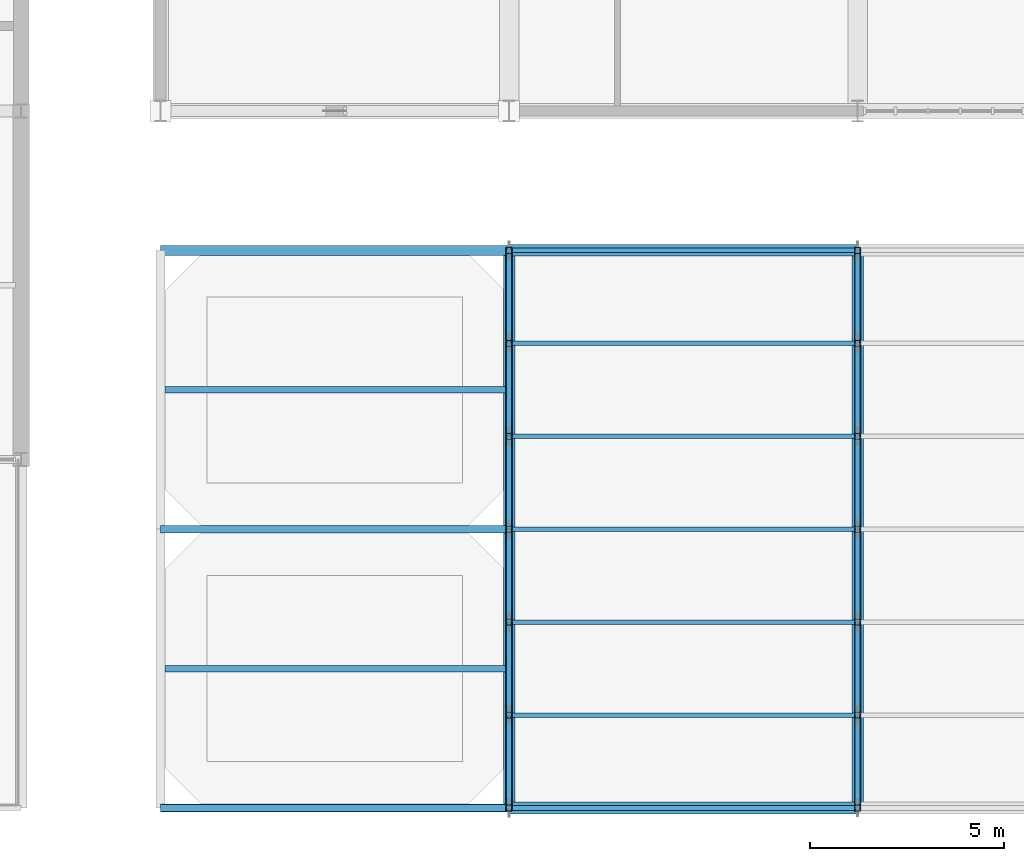
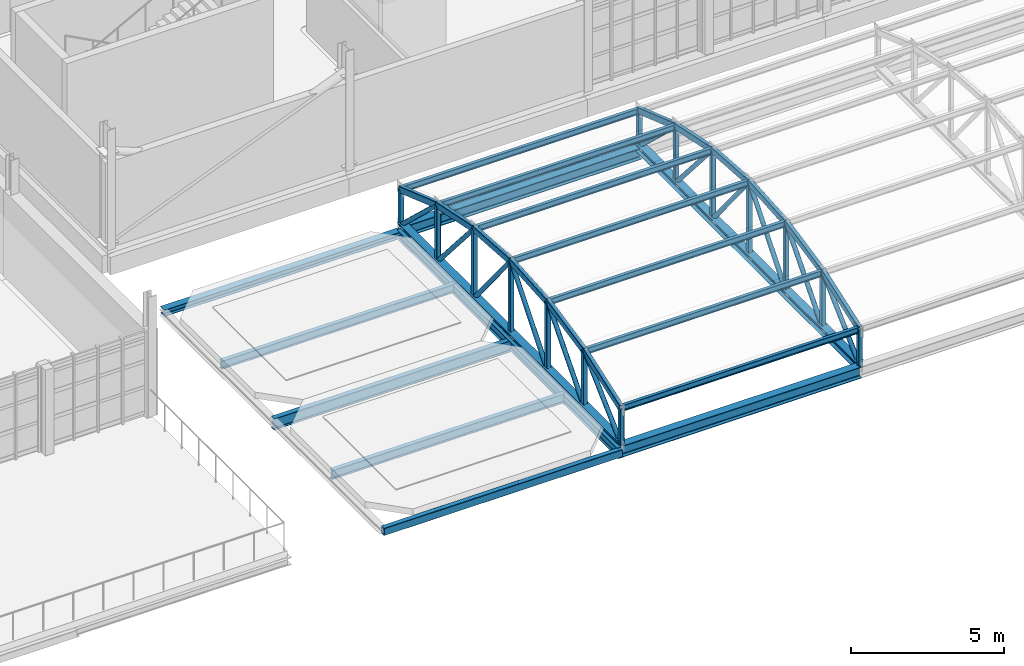
# One storey, part 15 of 128: 47 members, 9 beams.
"""IFC4 building model written with IfcOpenShell, lengths in metres."""

from ifc_helpers import new_model, si_unit, direction, frame, origin, origin_2d, place, context, subcontext, project, spatial, hollow_rectangle, hollow_circle, i_section, extrude, material, material_profile, profile_set, type_object, element, save


model = new_model("IFC4")

# Units and contexts
model_context = context("Model", 3, precision=1e-05, world=origin(), true_north=direction((0.0, 1.0)))
body_context = subcontext(model_context, "Body", "Model", "MODEL_VIEW")
ifc_project = project(units=[si_unit("LENGTHUNIT", "METRE"), si_unit("AREAUNIT", "SQUARE_METRE"), si_unit("VOLUMEUNIT", "CUBIC_METRE"), si_unit("PLANEANGLEUNIT", "RADIAN"), si_unit("MASSUNIT", "GRAM", prefix="KILO")], contexts=[model_context])

# Site, building, storey
site_placement = place(None, origin())
site = spatial("IfcSite", under=ifc_project, at=site_placement, CompositionType="ELEMENT")
building_placement = place(site_placement, origin())
building = spatial("IfcBuilding", under=site, at=building_placement, Name="Serraforn Aerial Cableway Station", CompositionType="ELEMENT")
storey_placement = place(building_placement, frame((0.0, 0.0, 9.0)))
storey = spatial("IfcBuildingStorey", under=building, at=storey_placement, Name="L02", CompositionType="ELEMENT", Elevation=9.0)

# Beams
ifc_material_1 = material(Name="Steel S355JR", Category="steel")
ifc_material_profile_1 = material_profile(ifc_material_1, i_section(OverallWidth=0.300048828125, OverallDepth=0.449951171875, WebThickness=0.011474609375, FlangeThickness=0.02099609375, FilletRadius=0.027099609375, at=origin_2d()), Name="HEA 450")
ifc_profile_set_1 = profile_set([ifc_material_profile_1], Name="Steel S355JR")
beam_type_1 = type_object("IfcBeamType", Name="BM-ST-HEA450", PredefinedType="USERDEFINED", material=ifc_profile_set_1)
for number, where, z_axis, x_axis, name in (
    (1, (36.60009765625, 0.0, -0.364990234375), (1.0, 0.0, 0.0), (0.0, 1.0, 0.0), "Concourse Vault Eave Girder S-1"),
    (2, (36.60009765625, 14.39990234375, -0.364990234375), (1.0, 0.0, 0.0), (0.0, 1.0, 0.0), "Concourse Vault Eave Girder N-1"),
):
    element("IfcBeam", number, at=place(storey_placement, frame(where, z_axis=z_axis, x_axis=x_axis)), inside=storey, type_object=beam_type_1, Name=name, ObjectType="GIRDER", PredefinedType="USERDEFINED", context=body_context, shape_type="SweptSolid", body=[
        extrude(i_section(OverallWidth=0.300048828125, OverallDepth=0.449951171875, WebThickness=0.011474609375, FlangeThickness=0.02099609375, FilletRadius=0.027099609375, at=origin_2d()), origin(), (0.0, 0.0, 1.0), 9.0),
    ])
ifc_material_2 = material(Name="Steel S355J2", Category="steel")
ifc_material_profile_2 = material_profile(ifc_material_2, i_section(OverallWidth=0.260009765625, OverallDepth=0.260009765625, WebThickness=0.010009765625, FlangeThickness=0.017578125, FilletRadius=0.02392578125, at=origin_2d()), Name="HEB 260")
ifc_profile_set_2 = profile_set([ifc_material_profile_2], Name="Steel S355J2")
beam_type_2 = type_object("IfcBeamType", Name="BM-ST-HEB260", PredefinedType="BEAM", material=ifc_profile_set_2)
beam_1_placement = place(storey_placement, frame((27.60009765625, 14.39990234375, -0.449951171875), z_axis=(1.0, 0.0, 0.0), x_axis=(0.0, 1.0, 0.0)))
element("IfcBeam", 3, at=beam_1_placement, inside=storey, type_object=beam_type_2, Name="Grid Girder X CF L02 Y3-1", PredefinedType="BEAM", context=body_context, shape_type="SweptSolid", body=[
    extrude(i_section(OverallWidth=0.260009765625, OverallDepth=0.260009765625, WebThickness=0.010009765625, FlangeThickness=0.017578125, FilletRadius=0.02392578125, at=origin_2d()), origin(), (0.0, 0.0, 1.0), 9.0),
])
ifc_material_profile_3 = material_profile(ifc_material_1, i_section(OverallWidth=0.159912109375, OverallDepth=0.330078125, WebThickness=0.007568359375, FlangeThickness=0.011474609375, FilletRadius=0.01806640625, at=origin_2d()), Name="IPE 330")
ifc_profile_set_3 = profile_set([ifc_material_profile_3], Name="Steel S355JR")
beam_type_3 = type_object("IfcBeamType", Name="BM-ST-IPE330", PredefinedType="JOIST", material=ifc_profile_set_3)
beam_2_placement = place(storey_placement, frame((27.719970703125, 10.800048828125, -0.4150390625), z_axis=(1.0, 0.0, 0.0), x_axis=(0.0, 1.0, 0.0)))
element("IfcBeam", 4, at=beam_2_placement, inside=storey, type_object=beam_type_3, Name="Floor Joist CF-L02-1-2-1", PredefinedType="JOIST", context=body_context, shape_type="SweptSolid", body=[
    extrude(i_section(OverallWidth=0.159912109375, OverallDepth=0.330078125, WebThickness=0.007568359375, FlangeThickness=0.011474609375, FilletRadius=0.01806640625, at=origin_2d()), origin(), (0.0, 0.0, 1.0), 8.7900390625),
])
ifc_material_profile_4 = material_profile(ifc_material_1, i_section(OverallWidth=0.169921875, OverallDepth=0.360107421875, WebThickness=0.008056640625, FlangeThickness=0.0126953125, FilletRadius=0.01806640625, at=origin_2d()), Name="IPE 360")
ifc_profile_set_4 = profile_set([ifc_material_profile_4], Name="Steel S355JR")
beam_type_4 = type_object("IfcBeamType", Name="BM-ST-IPE360", PredefinedType="JOIST", material=ifc_profile_set_4)
beam_3_placement = place(storey_placement, frame((27.719970703125, 3.60009765625, -0.429931640625), z_axis=(1.0, 0.0, 0.0), x_axis=(0.0, 1.0, 0.0)))
element("IfcBeam", 5, at=beam_3_placement, inside=storey, type_object=beam_type_4, Name="Floor Joist CF-L02-1-1-1", PredefinedType="JOIST", context=body_context, shape_type="SweptSolid", body=[
    extrude(i_section(OverallWidth=0.169921875, OverallDepth=0.360107421875, WebThickness=0.008056640625, FlangeThickness=0.0126953125, FilletRadius=0.01806640625, at=origin_2d()), origin(), (0.0, 0.0, 1.0), 8.7900390625),
])
ifc_material_profile_5 = material_profile(ifc_material_1, i_section(OverallWidth=0.179931640625, OverallDepth=0.39990234375, WebThickness=0.008544921875, FlangeThickness=0.013427734375, FilletRadius=0.02099609375, at=origin_2d()), Name="IPE 400")
ifc_profile_set_5 = profile_set([ifc_material_profile_5], Name="Steel S355JR")
beam_type_5 = type_object("IfcBeamType", Name="BM-ST-IPE400", PredefinedType="BEAM", material=ifc_profile_set_5)
for number, where, z_axis, x_axis, name in (
    (6, (36.60009765625, 0.0, -0.52001953125), (0.0, 1.0, 0.0), (-1.0, 0.0, 0.0), "Grid Girder Y CF L02 X2-1"),
    (7, (36.60009765625, 7.199951171875, -0.52001953125), (0.0, 1.0, 0.0), (-1.0, 0.0, 0.0), "Grid Girder Y CF L02 X2-2"),
):
    element("IfcBeam", number, at=place(storey_placement, frame(where, z_axis=z_axis, x_axis=x_axis)), inside=storey, type_object=beam_type_5, Name=name, PredefinedType="BEAM", context=body_context, shape_type="SweptSolid", body=[
        extrude(i_section(OverallWidth=0.179931640625, OverallDepth=0.39990234375, WebThickness=0.008544921875, FlangeThickness=0.013427734375, FilletRadius=0.02099609375, at=origin_2d()), origin(), (0.0, 0.0, 1.0), 7.199951171875),
    ])
ifc_material_profile_6 = material_profile(ifc_material_1, i_section(OverallWidth=0.18994140625, OverallDepth=0.449951171875, WebThickness=0.009521484375, FlangeThickness=0.0146484375, FilletRadius=0.02099609375, at=origin_2d()), Name="IPE 450")
ifc_profile_set_6 = profile_set([ifc_material_profile_6], Name="Steel S355JR")
beam_type_6 = type_object("IfcBeamType", Name="BM-ST-IPE450", PredefinedType="BEAM", material=ifc_profile_set_6)
beam_4_placement = place(storey_placement, frame((27.60009765625, 7.199951171875, -0.544921875), z_axis=(1.0, 0.0, 0.0), x_axis=(0.0, 1.0, 0.0)))
element("IfcBeam", 8, at=beam_4_placement, inside=storey, type_object=beam_type_6, Name="Grid Girder X CF L02 Y2-1", PredefinedType="BEAM", context=body_context, shape_type="SweptSolid", body=[
    extrude(i_section(OverallWidth=0.18994140625, OverallDepth=0.449951171875, WebThickness=0.009521484375, FlangeThickness=0.0146484375, FilletRadius=0.02099609375, at=origin_2d()), origin(), (0.0, 0.0, 1.0), 9.0),
])
ifc_material_profile_7 = material_profile(ifc_material_2, hollow_rectangle(XDim=0.199951171875, YDim=0.300048828125, WallThickness=0.012451171875, InnerFilletRadius=0.012451171875, OuterFilletRadius=0.02490234375, at=origin_2d()), Name="RHS 300x200x12.5")
ifc_profile_set_7 = profile_set([ifc_material_profile_7], Name="Steel S355J2")
beam_type_7 = type_object("IfcBeamType", Name="BM-ST-RHS300", PredefinedType="SPANDREL", material=ifc_profile_set_7)
beam_5_placement = place(storey_placement, frame((27.60009765625, 0.0, -0.469970703125), z_axis=(1.0, 0.0, 0.0), x_axis=(0.0, 1.0, 0.0)))
element("IfcBeam", 9, at=beam_5_placement, inside=storey, type_object=beam_type_7, Name="Grid Girder X CF L02 Y1-1", PredefinedType="SPANDREL", context=body_context, shape_type="SweptSolid", body=[
    extrude(hollow_rectangle(XDim=0.199951171875, YDim=0.300048828125, WallThickness=0.012451171875, InnerFilletRadius=0.012451171875, OuterFilletRadius=0.02490234375, at=origin_2d()), origin(), (0.0, 0.0, 1.0), 9.0),
])

# Members
ifc_material_profile_8 = material_profile(ifc_material_2, hollow_rectangle(XDim=0.14990234375, YDim=0.25, WallThickness=0.010009765625, InnerFilletRadius=0.010009765625, OuterFilletRadius=0.02001953125, at=origin_2d()), Name="RHS 250x150x10.0")
ifc_profile_set_8 = profile_set([ifc_material_profile_8], Name="Steel S355J2")
member_type_1 = type_object("IfcMemberType", Name="MEM-AR-RHS250", PredefinedType="CHORD", material=ifc_profile_set_8)
member_1_placement = place(storey_placement, frame((36.60009765625, 0.0, 1.2900390625), z_axis=(0.0, 0.944679454342, 0.327995012988), x_axis=(-1.0, 0.0, 0.0)))
element("IfcMember", 10, at=member_1_placement, inside=storey, type_object=member_type_1, Name="Barrel Vault Arch Rib VR-01-1", PredefinedType="CHORD", context=body_context, shape_type="SweptSolid", body=[
    extrude(hollow_rectangle(XDim=0.14990234375, YDim=0.25, WallThickness=0.010009765625, InnerFilletRadius=0.010009765625, OuterFilletRadius=0.02001953125, at=origin_2d()), origin(), (0.0, 0.0, 1.0), 2.54052734375),
])
member_2_placement = place(storey_placement, frame((36.60009765625, 2.39990234375, 2.123291015625), z_axis=(0.0, 0.978982905053, 0.203942324234), x_axis=(-1.0, 0.0, 0.0)))
element("IfcMember", 11, at=member_2_placement, inside=storey, type_object=member_type_1, Name="Barrel Vault Arch Rib VR-01-2", PredefinedType="CHORD", context=body_context, shape_type="SweptSolid", body=[
    extrude(hollow_rectangle(XDim=0.14990234375, YDim=0.25, WallThickness=0.010009765625, InnerFilletRadius=0.010009765625, OuterFilletRadius=0.02001953125, at=origin_2d()), origin(), (0.0, 0.0, 1.0), 2.45166015625),
])
member_3_placement = place(storey_placement, frame((36.60009765625, 4.800048828125, 2.623291015625), z_axis=(0.0, 0.997594887566, 0.069314070011), x_axis=(-1.0, 0.0, 0.0)))
element("IfcMember", 12, at=member_3_placement, inside=storey, type_object=member_type_1, Name="Barrel Vault Arch Rib VR-01-3", PredefinedType="CHORD", context=body_context, shape_type="SweptSolid", body=[
    extrude(hollow_rectangle(XDim=0.14990234375, YDim=0.25, WallThickness=0.010009765625, InnerFilletRadius=0.010009765625, OuterFilletRadius=0.02001953125, at=origin_2d()), origin(), (0.0, 0.0, 1.0), 2.40576171875),
])
member_4_placement = place(storey_placement, frame((36.60009765625, 7.199951171875, 2.7900390625), z_axis=(0.0, 0.99759537507, -0.069307053318), x_axis=(-1.0, 0.0, 0.0)))
element("IfcMember", 13, at=member_4_placement, inside=storey, type_object=member_type_1, Name="Barrel Vault Arch Rib VR-01-4", PredefinedType="CHORD", context=body_context, shape_type="SweptSolid", body=[
    extrude(hollow_rectangle(XDim=0.14990234375, YDim=0.25, WallThickness=0.010009765625, InnerFilletRadius=0.010009765625, OuterFilletRadius=0.02001953125, at=origin_2d()), origin(), (0.0, 0.0, 1.0), 2.406005859375),
])
member_5_placement = place(storey_placement, frame((36.60009765625, 9.60009765625, 2.623291015625), z_axis=(0.0, 0.978978762618, -0.203962208122), x_axis=(-1.0, 0.0, 0.0)))
element("IfcMember", 14, at=member_5_placement, inside=storey, type_object=member_type_1, Name="Barrel Vault Arch Rib VR-01-5", PredefinedType="CHORD", context=body_context, shape_type="SweptSolid", body=[
    extrude(hollow_rectangle(XDim=0.14990234375, YDim=0.25, WallThickness=0.010009765625, InnerFilletRadius=0.010009765625, OuterFilletRadius=0.02001953125, at=origin_2d()), origin(), (0.0, 0.0, 1.0), 2.451416015625),
])
for number, where, z_axis, x_axis, name in (
    (15, (36.60009765625, 12.0, 2.123291015625), (0.0, 0.944679454342, -0.327995012988), (-1.0, 0.0, 0.0), "Barrel Vault Arch Rib VR-01-6"),
    (16, (45.60009765625, 0.0, 1.2900390625), (0.0, 0.944679454342, 0.327995012988), (-1.0, 0.0, 0.0), "Barrel Vault Arch Rib VR-02-1"),
):
    element("IfcMember", number, at=place(storey_placement, frame(where, z_axis=z_axis, x_axis=x_axis)), inside=storey, type_object=member_type_1, Name=name, PredefinedType="CHORD", context=body_context, shape_type="SweptSolid", body=[
        extrude(hollow_rectangle(XDim=0.14990234375, YDim=0.25, WallThickness=0.010009765625, InnerFilletRadius=0.010009765625, OuterFilletRadius=0.02001953125, at=origin_2d()), origin(), (0.0, 0.0, 1.0), 2.54052734375),
    ])
member_6_placement = place(storey_placement, frame((45.60009765625, 2.39990234375, 2.123291015625), z_axis=(0.0, 0.978982905053, 0.203942324234), x_axis=(-1.0, 0.0, 0.0)))
element("IfcMember", 17, at=member_6_placement, inside=storey, type_object=member_type_1, Name="Barrel Vault Arch Rib VR-02-2", PredefinedType="CHORD", context=body_context, shape_type="SweptSolid", body=[
    extrude(hollow_rectangle(XDim=0.14990234375, YDim=0.25, WallThickness=0.010009765625, InnerFilletRadius=0.010009765625, OuterFilletRadius=0.02001953125, at=origin_2d()), origin(), (0.0, 0.0, 1.0), 2.45166015625),
])
member_7_placement = place(storey_placement, frame((45.60009765625, 4.800048828125, 2.623291015625), z_axis=(0.0, 0.997594887566, 0.069314070011), x_axis=(-1.0, 0.0, 0.0)))
element("IfcMember", 18, at=member_7_placement, inside=storey, type_object=member_type_1, Name="Barrel Vault Arch Rib VR-02-3", PredefinedType="CHORD", context=body_context, shape_type="SweptSolid", body=[
    extrude(hollow_rectangle(XDim=0.14990234375, YDim=0.25, WallThickness=0.010009765625, InnerFilletRadius=0.010009765625, OuterFilletRadius=0.02001953125, at=origin_2d()), origin(), (0.0, 0.0, 1.0), 2.40576171875),
])
member_8_placement = place(storey_placement, frame((45.60009765625, 7.199951171875, 2.7900390625), z_axis=(0.0, 0.99759537507, -0.069307053318), x_axis=(-1.0, 0.0, 0.0)))
element("IfcMember", 19, at=member_8_placement, inside=storey, type_object=member_type_1, Name="Barrel Vault Arch Rib VR-02-4", PredefinedType="CHORD", context=body_context, shape_type="SweptSolid", body=[
    extrude(hollow_rectangle(XDim=0.14990234375, YDim=0.25, WallThickness=0.010009765625, InnerFilletRadius=0.010009765625, OuterFilletRadius=0.02001953125, at=origin_2d()), origin(), (0.0, 0.0, 1.0), 2.406005859375),
])
member_9_placement = place(storey_placement, frame((45.60009765625, 9.60009765625, 2.623291015625), z_axis=(0.0, 0.978978762618, -0.203962208122), x_axis=(-1.0, 0.0, 0.0)))
element("IfcMember", 20, at=member_9_placement, inside=storey, type_object=member_type_1, Name="Barrel Vault Arch Rib VR-02-5", PredefinedType="CHORD", context=body_context, shape_type="SweptSolid", body=[
    extrude(hollow_rectangle(XDim=0.14990234375, YDim=0.25, WallThickness=0.010009765625, InnerFilletRadius=0.010009765625, OuterFilletRadius=0.02001953125, at=origin_2d()), origin(), (0.0, 0.0, 1.0), 2.451416015625),
])
member_10_placement = place(storey_placement, frame((45.60009765625, 12.0, 2.123291015625), z_axis=(0.0, 0.944679454342, -0.327995012988), x_axis=(-1.0, 0.0, 0.0)))
element("IfcMember", 21, at=member_10_placement, inside=storey, type_object=member_type_1, Name="Barrel Vault Arch Rib VR-02-6", PredefinedType="CHORD", context=body_context, shape_type="SweptSolid", body=[
    extrude(hollow_rectangle(XDim=0.14990234375, YDim=0.25, WallThickness=0.010009765625, InnerFilletRadius=0.010009765625, OuterFilletRadius=0.02001953125, at=origin_2d()), origin(), (0.0, 0.0, 1.0), 2.54052734375),
])
ifc_material_profile_9 = material_profile(ifc_material_2, i_section(OverallWidth=0.300048828125, OverallDepth=0.300048828125, WebThickness=0.008544921875, FlangeThickness=0.013916015625, FilletRadius=0.027099609375, at=origin_2d()), Name="HEA 300")
ifc_profile_set_9 = profile_set([ifc_material_profile_9], Name="Steel S355J2")
member_type_2 = type_object("IfcMemberType", Name="MEM-BC-HEA300", PredefinedType="CHORD", material=ifc_profile_set_9)
for number, where, z_axis, x_axis, name in (
    (22, (36.60009765625, 0.0, -0.139892578125), (0.0, 1.0, 0.0), (-1.0, 0.0, 0.0), "Barrel Vault Tie Chord VR-01"),
    (23, (45.60009765625, 0.0, -0.139892578125), (0.0, 1.0, 0.0), (-1.0, 0.0, 0.0), "Barrel Vault Tie Chord VR-02"),
):
    element("IfcMember", number, at=place(storey_placement, frame(where, z_axis=z_axis, x_axis=x_axis)), inside=storey, type_object=member_type_2, Name=name, PredefinedType="CHORD", context=body_context, shape_type="SweptSolid", body=[
        extrude(i_section(OverallWidth=0.300048828125, OverallDepth=0.300048828125, WebThickness=0.008544921875, FlangeThickness=0.013916015625, FilletRadius=0.027099609375, at=origin_2d()), origin(), (0.0, 0.0, 1.0), 14.39990234375),
    ])
ifc_material_profile_10 = material_profile(ifc_material_2, hollow_circle(Radius=0.084228515625, WallThickness=0.008056640625, at=origin_2d()), Name="CHS 168.3x8.0")
ifc_profile_set_10 = profile_set([ifc_material_profile_10], Name="Steel S355J2")
member_type_3 = type_object("IfcMemberType", Name="MEM-DG-CHS168", PredefinedType="BRACE", material=ifc_profile_set_10)
member_11_placement = place(storey_placement, frame((36.60009765625, 0.0, -0.139892578125), z_axis=(0.0, 0.727526074923, 0.686080031998), x_axis=(-1.0, 0.0, 0.0)))
element("IfcMember", 24, at=member_11_placement, inside=storey, type_object=member_type_3, Name="Barrel Vault Web Diagonal VR-01-1", PredefinedType="BRACE", context=body_context, shape_type="SweptSolid", body=[
    extrude(hollow_circle(Radius=0.084228515625, WallThickness=0.008056640625, at=origin_2d()), origin(), (0.0, 0.0, 1.0), 3.298828125),
])
member_12_placement = place(storey_placement, frame((36.60009765625, 2.39990234375, -0.139892578125), z_axis=(0.0, 0.655770709956, 0.754960115479), x_axis=(-1.0, 0.0, 0.0)))
element("IfcMember", 25, at=member_12_placement, inside=storey, type_object=member_type_3, Name="Barrel Vault Web Diagonal VR-01-2", PredefinedType="BRACE", context=body_context, shape_type="SweptSolid", body=[
    extrude(hollow_circle(Radius=0.084228515625, WallThickness=0.008056640625, at=origin_2d()), origin(), (0.0, 0.0, 1.0), 3.66015625),
])
member_13_placement = place(storey_placement, frame((36.60009765625, 4.800048828125, -0.139892578125), z_axis=(0.0, 0.633662442695, 0.773609661727), x_axis=(-1.0, 0.0, 0.0)))
element("IfcMember", 26, at=member_13_placement, inside=storey, type_object=member_type_3, Name="Barrel Vault Web Diagonal VR-01-3", PredefinedType="BRACE", context=body_context, shape_type="SweptSolid", body=[
    extrude(hollow_circle(Radius=0.084228515625, WallThickness=0.008056640625, at=origin_2d()), origin(), (0.0, 0.0, 1.0), 3.787353515625),
])
member_14_placement = place(storey_placement, frame((36.60009765625, 7.199951171875, 2.7900390625), z_axis=(0.0, 0.633701019087, -0.773578062259), x_axis=(-1.0, 0.0, 0.0)))
element("IfcMember", 27, at=member_14_placement, inside=storey, type_object=member_type_3, Name="Barrel Vault Web Diagonal VR-01-4", PredefinedType="BRACE", context=body_context, shape_type="SweptSolid", body=[
    extrude(hollow_circle(Radius=0.084228515625, WallThickness=0.008056640625, at=origin_2d()), origin(), (0.0, 0.0, 1.0), 3.78759765625),
])
member_15_placement = place(storey_placement, frame((36.60009765625, 9.60009765625, 2.623291015625), z_axis=(0.0, 0.655732688317, -0.754993140017), x_axis=(-1.0, 0.0, 0.0)))
element("IfcMember", 28, at=member_15_placement, inside=storey, type_object=member_type_3, Name="Barrel Vault Web Diagonal VR-01-5", PredefinedType="BRACE", context=body_context, shape_type="SweptSolid", body=[
    extrude(hollow_circle(Radius=0.084228515625, WallThickness=0.008056640625, at=origin_2d()), origin(), (0.0, 0.0, 1.0), 3.659912109375),
])
for number, where, z_axis, x_axis, name in (
    (29, (36.60009765625, 12.0, 2.123291015625), (0.0, 0.727526074923, -0.686080031998), (-1.0, 0.0, 0.0), "Barrel Vault Web Diagonal VR-01-6"),
    (30, (45.60009765625, 0.0, -0.139892578125), (0.0, 0.727526074923, 0.686080031998), (-1.0, 0.0, 0.0), "Barrel Vault Web Diagonal VR-02-1"),
):
    element("IfcMember", number, at=place(storey_placement, frame(where, z_axis=z_axis, x_axis=x_axis)), inside=storey, type_object=member_type_3, Name=name, PredefinedType="BRACE", context=body_context, shape_type="SweptSolid", body=[
        extrude(hollow_circle(Radius=0.084228515625, WallThickness=0.008056640625, at=origin_2d()), origin(), (0.0, 0.0, 1.0), 3.298828125),
    ])
member_16_placement = place(storey_placement, frame((45.60009765625, 2.39990234375, -0.139892578125), z_axis=(0.0, 0.655770709956, 0.754960115479), x_axis=(-1.0, 0.0, 0.0)))
element("IfcMember", 31, at=member_16_placement, inside=storey, type_object=member_type_3, Name="Barrel Vault Web Diagonal VR-02-2", PredefinedType="BRACE", context=body_context, shape_type="SweptSolid", body=[
    extrude(hollow_circle(Radius=0.084228515625, WallThickness=0.008056640625, at=origin_2d()), origin(), (0.0, 0.0, 1.0), 3.66015625),
])
member_17_placement = place(storey_placement, frame((45.60009765625, 4.800048828125, -0.139892578125), z_axis=(0.0, 0.633662442695, 0.773609661727), x_axis=(-1.0, 0.0, 0.0)))
element("IfcMember", 32, at=member_17_placement, inside=storey, type_object=member_type_3, Name="Barrel Vault Web Diagonal VR-02-3", PredefinedType="BRACE", context=body_context, shape_type="SweptSolid", body=[
    extrude(hollow_circle(Radius=0.084228515625, WallThickness=0.008056640625, at=origin_2d()), origin(), (0.0, 0.0, 1.0), 3.787353515625),
])
member_18_placement = place(storey_placement, frame((45.60009765625, 7.199951171875, 2.7900390625), z_axis=(0.0, 0.633701019087, -0.773578062259), x_axis=(-1.0, 0.0, 0.0)))
element("IfcMember", 33, at=member_18_placement, inside=storey, type_object=member_type_3, Name="Barrel Vault Web Diagonal VR-02-4", PredefinedType="BRACE", context=body_context, shape_type="SweptSolid", body=[
    extrude(hollow_circle(Radius=0.084228515625, WallThickness=0.008056640625, at=origin_2d()), origin(), (0.0, 0.0, 1.0), 3.78759765625),
])
member_19_placement = place(storey_placement, frame((45.60009765625, 9.60009765625, 2.623291015625), z_axis=(0.0, 0.655732688317, -0.754993140017), x_axis=(-1.0, 0.0, 0.0)))
element("IfcMember", 34, at=member_19_placement, inside=storey, type_object=member_type_3, Name="Barrel Vault Web Diagonal VR-02-5", PredefinedType="BRACE", context=body_context, shape_type="SweptSolid", body=[
    extrude(hollow_circle(Radius=0.084228515625, WallThickness=0.008056640625, at=origin_2d()), origin(), (0.0, 0.0, 1.0), 3.659912109375),
])
member_20_placement = place(storey_placement, frame((45.60009765625, 12.0, 2.123291015625), z_axis=(0.0, 0.727526074923, -0.686080031998), x_axis=(-1.0, 0.0, 0.0)))
element("IfcMember", 35, at=member_20_placement, inside=storey, type_object=member_type_3, Name="Barrel Vault Web Diagonal VR-02-6", PredefinedType="BRACE", context=body_context, shape_type="SweptSolid", body=[
    extrude(hollow_circle(Radius=0.084228515625, WallThickness=0.008056640625, at=origin_2d()), origin(), (0.0, 0.0, 1.0), 3.298828125),
])
ifc_material_profile_11 = material_profile(ifc_material_1, i_section(OverallWidth=0.1201171875, OverallDepth=0.239990234375, WebThickness=0.006103515625, FlangeThickness=0.009765625, FilletRadius=0.014892578125, at=origin_2d()), Name="IPE 240")
ifc_profile_set_11 = profile_set([ifc_material_profile_11], Name="Steel S355JR")
member_type_4 = type_object("IfcMemberType", Name="MEM-PR-IPE240", PredefinedType="PURLIN", material=ifc_profile_set_11)
for number, where, z_axis, x_axis, name in (
    (36, (36.60009765625, 0.0, 1.280517578125), (1.0, 0.0, 0.0), (0.0, 1.0, 0.0), "Barrel Vault Purlin 1-1"),
    (37, (36.60009765625, 2.39990234375, 2.093017578125), (1.0, 0.0, 0.0), (0.0, 1.0, 0.0), "Barrel Vault Purlin 1-2"),
    (38, (36.60009765625, 4.800048828125, 2.607421875), (1.0, 0.0, 0.0), (0.0, 1.0, 0.0), "Barrel Vault Purlin 1-3"),
    (39, (36.60009765625, 7.199951171875, 2.785400390625), (1.0, 0.0, 0.0), (0.0, 1.0, 0.0), "Barrel Vault Purlin 1-4"),
    (40, (36.60009765625, 9.60009765625, 2.607421875), (1.0, 0.0, 0.0), (0.0, 1.0, 0.0), "Barrel Vault Purlin 1-5"),
    (41, (36.60009765625, 12.0, 2.093017578125), (1.0, 0.0, 0.0), (0.0, 1.0, 0.0), "Barrel Vault Purlin 1-6"),
    (42, (36.60009765625, 14.39990234375, 1.280517578125), (1.0, 0.0, 0.0), (0.0, 1.0, 0.0), "Barrel Vault Purlin 1-7"),
):
    element("IfcMember", number, at=place(storey_placement, frame(where, z_axis=z_axis, x_axis=x_axis)), inside=storey, type_object=member_type_4, Name=name, PredefinedType="PURLIN", context=body_context, shape_type="SweptSolid", body=[
        extrude(i_section(OverallWidth=0.1201171875, OverallDepth=0.239990234375, WebThickness=0.006103515625, FlangeThickness=0.009765625, FilletRadius=0.014892578125, at=origin_2d()), origin(), (0.0, 0.0, 1.0), 9.0),
    ])
ifc_material_profile_12 = material_profile(ifc_material_2, hollow_rectangle(XDim=0.159912109375, YDim=0.159912109375, WallThickness=0.008056640625, InnerFilletRadius=0.008056640625, OuterFilletRadius=0.01611328125, at=origin_2d()), Name="SHS 160x160x8.0")
ifc_profile_set_12 = profile_set([ifc_material_profile_12], Name="Steel S355J2")
member_type_5 = type_object("IfcMemberType", Name="MEM-VP-SHS160", PredefinedType="STRUT", material=ifc_profile_set_12)
member_21_placement = place(storey_placement, frame((36.60009765625, 0.0, -0.14990234375), z_axis=(0.0, 0.0, 1.0), x_axis=(1.0, 0.0, 0.0)))
element("IfcMember", 43, at=member_21_placement, inside=storey, type_object=member_type_5, Name="Barrel Vault Post VR-01-1", PredefinedType="STRUT", context=body_context, shape_type="SweptSolid", body=[
    extrude(hollow_rectangle(XDim=0.159912109375, YDim=0.159912109375, WallThickness=0.008056640625, InnerFilletRadius=0.008056640625, OuterFilletRadius=0.01611328125, at=origin_2d()), origin(), (0.0, 0.0, 1.0), 1.449951171875),
])
member_22_placement = place(storey_placement, frame((36.60009765625, 2.39990234375, -0.14990234375), z_axis=(0.0, 0.0, 1.0), x_axis=(1.0, 0.0, 0.0)))
element("IfcMember", 44, at=member_22_placement, inside=storey, type_object=member_type_5, Name="Barrel Vault Post VR-01-2", PredefinedType="STRUT", context=body_context, shape_type="SweptSolid", body=[
    extrude(hollow_rectangle(XDim=0.159912109375, YDim=0.159912109375, WallThickness=0.008056640625, InnerFilletRadius=0.008056640625, OuterFilletRadius=0.01611328125, at=origin_2d()), origin(), (0.0, 0.0, 1.0), 2.283203125),
])
member_23_placement = place(storey_placement, frame((36.60009765625, 4.800048828125, -0.14990234375), z_axis=(0.0, 0.0, 1.0), x_axis=(1.0, 0.0, 0.0)))
element("IfcMember", 45, at=member_23_placement, inside=storey, type_object=member_type_5, Name="Barrel Vault Post VR-01-3", PredefinedType="STRUT", context=body_context, shape_type="SweptSolid", body=[
    extrude(hollow_rectangle(XDim=0.159912109375, YDim=0.159912109375, WallThickness=0.008056640625, InnerFilletRadius=0.008056640625, OuterFilletRadius=0.01611328125, at=origin_2d()), origin(), (0.0, 0.0, 1.0), 2.783203125),
])
member_24_placement = place(storey_placement, frame((36.60009765625, 7.199951171875, -0.14990234375), z_axis=(0.0, 0.0, 1.0), x_axis=(1.0, 0.0, 0.0)))
element("IfcMember", 46, at=member_24_placement, inside=storey, type_object=member_type_5, Name="Barrel Vault Post VR-01-4", PredefinedType="STRUT", context=body_context, shape_type="SweptSolid", body=[
    extrude(hollow_rectangle(XDim=0.159912109375, YDim=0.159912109375, WallThickness=0.008056640625, InnerFilletRadius=0.008056640625, OuterFilletRadius=0.01611328125, at=origin_2d()), origin(), (0.0, 0.0, 1.0), 2.949951171875),
])
member_25_placement = place(storey_placement, frame((36.60009765625, 9.60009765625, -0.14990234375), z_axis=(0.0, 0.0, 1.0), x_axis=(1.0, 0.0, 0.0)))
element("IfcMember", 47, at=member_25_placement, inside=storey, type_object=member_type_5, Name="Barrel Vault Post VR-01-5", PredefinedType="STRUT", context=body_context, shape_type="SweptSolid", body=[
    extrude(hollow_rectangle(XDim=0.159912109375, YDim=0.159912109375, WallThickness=0.008056640625, InnerFilletRadius=0.008056640625, OuterFilletRadius=0.01611328125, at=origin_2d()), origin(), (0.0, 0.0, 1.0), 2.783203125),
])
member_26_placement = place(storey_placement, frame((36.60009765625, 12.0, -0.14990234375), z_axis=(0.0, 0.0, 1.0), x_axis=(1.0, 0.0, 0.0)))
element("IfcMember", 48, at=member_26_placement, inside=storey, type_object=member_type_5, Name="Barrel Vault Post VR-01-6", PredefinedType="STRUT", context=body_context, shape_type="SweptSolid", body=[
    extrude(hollow_rectangle(XDim=0.159912109375, YDim=0.159912109375, WallThickness=0.008056640625, InnerFilletRadius=0.008056640625, OuterFilletRadius=0.01611328125, at=origin_2d()), origin(), (0.0, 0.0, 1.0), 2.283203125),
])
for number, where, z_axis, x_axis, name in (
    (49, (36.60009765625, 14.39990234375, -0.14990234375), (0.0, 0.0, 1.0), (1.0, 0.0, 0.0), "Barrel Vault Post VR-01-7"),
    (50, (45.60009765625, 0.0, -0.14990234375), (0.0, 0.0, 1.0), (1.0, 0.0, 0.0), "Barrel Vault Post VR-02-1"),
):
    element("IfcMember", number, at=place(storey_placement, frame(where, z_axis=z_axis, x_axis=x_axis)), inside=storey, type_object=member_type_5, Name=name, PredefinedType="STRUT", context=body_context, shape_type="SweptSolid", body=[
        extrude(hollow_rectangle(XDim=0.159912109375, YDim=0.159912109375, WallThickness=0.008056640625, InnerFilletRadius=0.008056640625, OuterFilletRadius=0.01611328125, at=origin_2d()), origin(), (0.0, 0.0, 1.0), 1.449951171875),
    ])
member_27_placement = place(storey_placement, frame((45.60009765625, 2.39990234375, -0.14990234375), z_axis=(0.0, 0.0, 1.0), x_axis=(1.0, 0.0, 0.0)))
element("IfcMember", 51, at=member_27_placement, inside=storey, type_object=member_type_5, Name="Barrel Vault Post VR-02-2", PredefinedType="STRUT", context=body_context, shape_type="SweptSolid", body=[
    extrude(hollow_rectangle(XDim=0.159912109375, YDim=0.159912109375, WallThickness=0.008056640625, InnerFilletRadius=0.008056640625, OuterFilletRadius=0.01611328125, at=origin_2d()), origin(), (0.0, 0.0, 1.0), 2.283203125),
])
member_28_placement = place(storey_placement, frame((45.60009765625, 4.800048828125, -0.14990234375), z_axis=(0.0, 0.0, 1.0), x_axis=(1.0, 0.0, 0.0)))
element("IfcMember", 52, at=member_28_placement, inside=storey, type_object=member_type_5, Name="Barrel Vault Post VR-02-3", PredefinedType="STRUT", context=body_context, shape_type="SweptSolid", body=[
    extrude(hollow_rectangle(XDim=0.159912109375, YDim=0.159912109375, WallThickness=0.008056640625, InnerFilletRadius=0.008056640625, OuterFilletRadius=0.01611328125, at=origin_2d()), origin(), (0.0, 0.0, 1.0), 2.783203125),
])
member_29_placement = place(storey_placement, frame((45.60009765625, 7.199951171875, -0.14990234375), z_axis=(0.0, 0.0, 1.0), x_axis=(1.0, 0.0, 0.0)))
element("IfcMember", 53, at=member_29_placement, inside=storey, type_object=member_type_5, Name="Barrel Vault Post VR-02-4", PredefinedType="STRUT", context=body_context, shape_type="SweptSolid", body=[
    extrude(hollow_rectangle(XDim=0.159912109375, YDim=0.159912109375, WallThickness=0.008056640625, InnerFilletRadius=0.008056640625, OuterFilletRadius=0.01611328125, at=origin_2d()), origin(), (0.0, 0.0, 1.0), 2.949951171875),
])
member_30_placement = place(storey_placement, frame((45.60009765625, 9.60009765625, -0.14990234375), z_axis=(0.0, 0.0, 1.0), x_axis=(1.0, 0.0, 0.0)))
element("IfcMember", 54, at=member_30_placement, inside=storey, type_object=member_type_5, Name="Barrel Vault Post VR-02-5", PredefinedType="STRUT", context=body_context, shape_type="SweptSolid", body=[
    extrude(hollow_rectangle(XDim=0.159912109375, YDim=0.159912109375, WallThickness=0.008056640625, InnerFilletRadius=0.008056640625, OuterFilletRadius=0.01611328125, at=origin_2d()), origin(), (0.0, 0.0, 1.0), 2.783203125),
])
member_31_placement = place(storey_placement, frame((45.60009765625, 12.0, -0.14990234375), z_axis=(0.0, 0.0, 1.0), x_axis=(1.0, 0.0, 0.0)))
element("IfcMember", 55, at=member_31_placement, inside=storey, type_object=member_type_5, Name="Barrel Vault Post VR-02-6", PredefinedType="STRUT", context=body_context, shape_type="SweptSolid", body=[
    extrude(hollow_rectangle(XDim=0.159912109375, YDim=0.159912109375, WallThickness=0.008056640625, InnerFilletRadius=0.008056640625, OuterFilletRadius=0.01611328125, at=origin_2d()), origin(), (0.0, 0.0, 1.0), 2.283203125),
])
member_32_placement = place(storey_placement, frame((45.60009765625, 14.39990234375, -0.14990234375), z_axis=(0.0, 0.0, 1.0), x_axis=(1.0, 0.0, 0.0)))
element("IfcMember", 56, at=member_32_placement, inside=storey, type_object=member_type_5, Name="Barrel Vault Post VR-02-7", PredefinedType="STRUT", context=body_context, shape_type="SweptSolid", body=[
    extrude(hollow_rectangle(XDim=0.159912109375, YDim=0.159912109375, WallThickness=0.008056640625, InnerFilletRadius=0.008056640625, OuterFilletRadius=0.01611328125, at=origin_2d()), origin(), (0.0, 0.0, 1.0), 1.449951171875),
])

save(model, "model.ifc")
